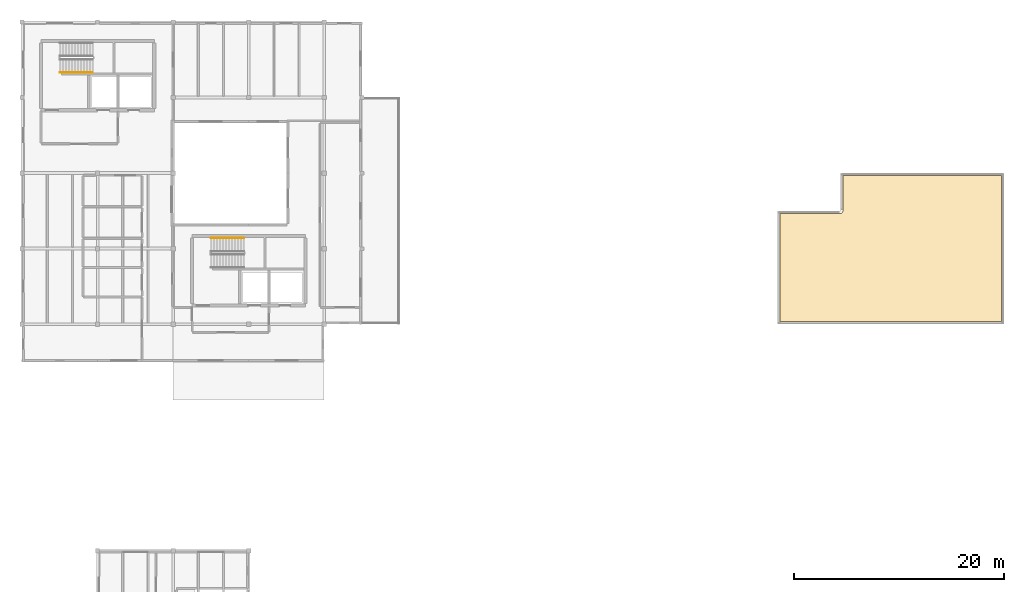
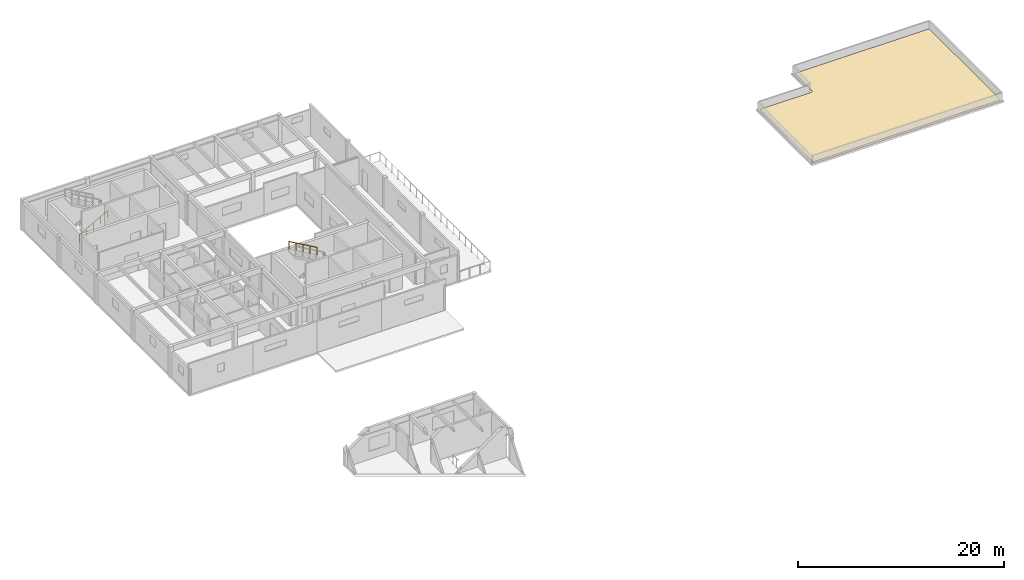
# One storey, part 10 of 12: 2 railings, 1 covering.
"""IFC4 building model written with IfcOpenShell, lengths in metres."""

from ifc_helpers import new_model, si_unit, direction, frame, origin, origin_2d, place, context, subcontext, project, spatial, polyline, circle, outline, extrude, material, layer, layer_set, type_object, element, save


model = new_model("IFC4")

# Units and contexts
model_context = context("Model", 3, precision=1e-05, world=origin(), true_north=direction((0.0, 1.0)))
body_context = subcontext(model_context, "Body", "Model", "MODEL_VIEW")
ifc_project = project(units=[si_unit("LENGTHUNIT", "METRE"), si_unit("AREAUNIT", "SQUARE_METRE"), si_unit("VOLUMEUNIT", "CUBIC_METRE"), si_unit("PLANEANGLEUNIT", "RADIAN"), si_unit("MASSUNIT", "GRAM", prefix="KILO")], contexts=[model_context])

# Site, building, storey
site_placement = place(None, origin())
site = spatial("IfcSite", under=ifc_project, at=site_placement, CompositionType="ELEMENT")
building_placement = place(site_placement, origin())
building = spatial("IfcBuilding", under=site, at=building_placement, Name="Bramvelor Terrace Health Centre", CompositionType="ELEMENT")
storey_placement = place(building_placement, frame((0.0, 0.0, 17.699951171875)))
storey = spatial("IfcBuildingStorey", under=building, at=storey_placement, Name="L05", CompositionType="ELEMENT", Elevation=17.699951171875)

# Covering
ifc_material_1 = material(Name="TPO standing-seam insulated roofing", Category="membrane")
ifc_layer = layer(ifc_material_1, 0.044921875)
ifc_layer_set = layer_set([ifc_layer], Name="TPO standing-seam insulated roofing")
covering_type = type_object("IfcCoveringType", Name="COV-ROOF-MEM", PredefinedType="ROOFING", material=ifc_layer_set)
covering_placement = place(storey_placement, origin())
element("IfcCovering", 1, at=covering_placement, inside=storey, type_object=covering_type, Name="L05 Insulated Roof Membrane 9", PredefinedType="ROOFING", context=body_context, shape_type="SweptSolid", body=[
    extrude(outline(polyline([(78.239990234375, 100.56005859375), (93.360107421875, 100.56005859375), (93.360107421875, 86.639892578125), (72.239990234375, 86.639892578125), (72.239990234375, 96.9599609375), (78.0, 96.9599609375), (78.0234375, 96.961181640625), (78.046875, 96.964599609375), (78.069580078125, 96.97021484375), (78.091796875, 96.978271484375), (78.113037109375, 96.98828125), (78.13330078125, 97.00048828125), (78.15234375, 97.014404296875), (78.169677734375, 97.0302734375), (78.185546875, 97.047607421875), (78.19970703125, 97.066650390625), (78.211669921875, 97.0869140625), (78.2216796875, 97.108154296875), (78.229736328125, 97.13037109375), (78.2353515625, 97.1533203125), (78.23876953125, 97.176513671875), (78.239990234375, 97.199951171875), (78.239990234375, 100.56005859375)])), origin(), (0.0, 0.0, 1.0), 0.045166015625),
])

# Railings
ifc_material_2 = material(Name="Brushed stainless steel 316", Category="steel")
railing_type = type_object("IfcRailingType", Name="RLG-HR-900", PredefinedType="HANDRAIL", material=ifc_material_2)
railing_1_placement = place(storey_placement, frame((3.60009765625, 110.39990234375, 0.16259765625)))
element("IfcRailing", 2, at=railing_1_placement, inside=storey, type_object=railing_type, Name="L05 ST-1 stair handrail 1", PredefinedType="HANDRAIL", context=body_context, shape_type="SweptSolid", body=[
    extrude(circle(Radius=0.02392578125, at=origin_2d()), frame((0.0, 0.0, 0.8759765625), z_axis=(0.868729823959, 0.0, 0.495286273749), x_axis=(0.0, 1.0, 0.0)), (0.0, 0.0, 1.0), 3.608642578125),
    extrude(circle(Radius=0.02099609375, at=origin_2d()), origin(), (0.0, 0.0, 1.0), 0.851806640625),
    extrude(circle(Radius=0.02099609375, at=origin_2d()), frame((0.78369140625, 0.0, 0.44677734375)), (0.0, 0.0, 1.0), 0.851806640625),
    extrude(circle(Radius=0.02099609375, at=origin_2d()), frame((1.5673828125, 0.0, 0.8935546875)), (0.0, 0.0, 1.0), 0.851806640625),
    extrude(circle(Radius=0.02099609375, at=origin_2d()), frame((2.351318359375, 0.0, 1.340576171875)), (0.0, 0.0, 1.0), 0.851806640625),
    extrude(circle(Radius=0.02099609375, at=origin_2d()), frame((3.135009765625, 0.0, 1.787353515625)), (0.0, 0.0, 1.0), 0.851806640625),
])
railing_2_placement = place(storey_placement, frame((21.135009765625, 94.60009765625, 2.112548828125)))
element("IfcRailing", 3, at=railing_2_placement, inside=storey, type_object=railing_type, Name="L05 ST-2 stair handrail 2", PredefinedType="HANDRAIL", context=body_context, shape_type="SweptSolid", body=[
    extrude(circle(Radius=0.02392578125, at=origin_2d()), frame((0.0, 0.0, 0.8759765625), z_axis=(-0.86870071446, 0.0, 0.495337328189), x_axis=(0.0, -1.0, 0.0)), (0.0, 0.0, 1.0), 3.60888671875),
    extrude(circle(Radius=0.02099609375, at=origin_2d()), origin(), (0.0, 0.0, 1.0), 0.851806640625),
    extrude(circle(Radius=0.02099609375, at=origin_2d()), frame((-0.78369140625, 0.0, 0.44677734375)), (0.0, 0.0, 1.0), 0.851806640625),
    extrude(circle(Radius=0.02099609375, at=origin_2d()), frame((-1.5673828125, 0.0, 0.893798828125)), (0.0, 0.0, 1.0), 0.851806640625),
    extrude(circle(Radius=0.02099609375, at=origin_2d()), frame((-2.351318359375, 0.0, 1.3408203125)), (0.0, 0.0, 1.0), 0.851806640625),
    extrude(circle(Radius=0.02099609375, at=origin_2d()), frame((-3.135009765625, 0.0, 1.78759765625)), (0.0, 0.0, 1.0), 0.851806640625),
])

save(model, "model.ifc")
